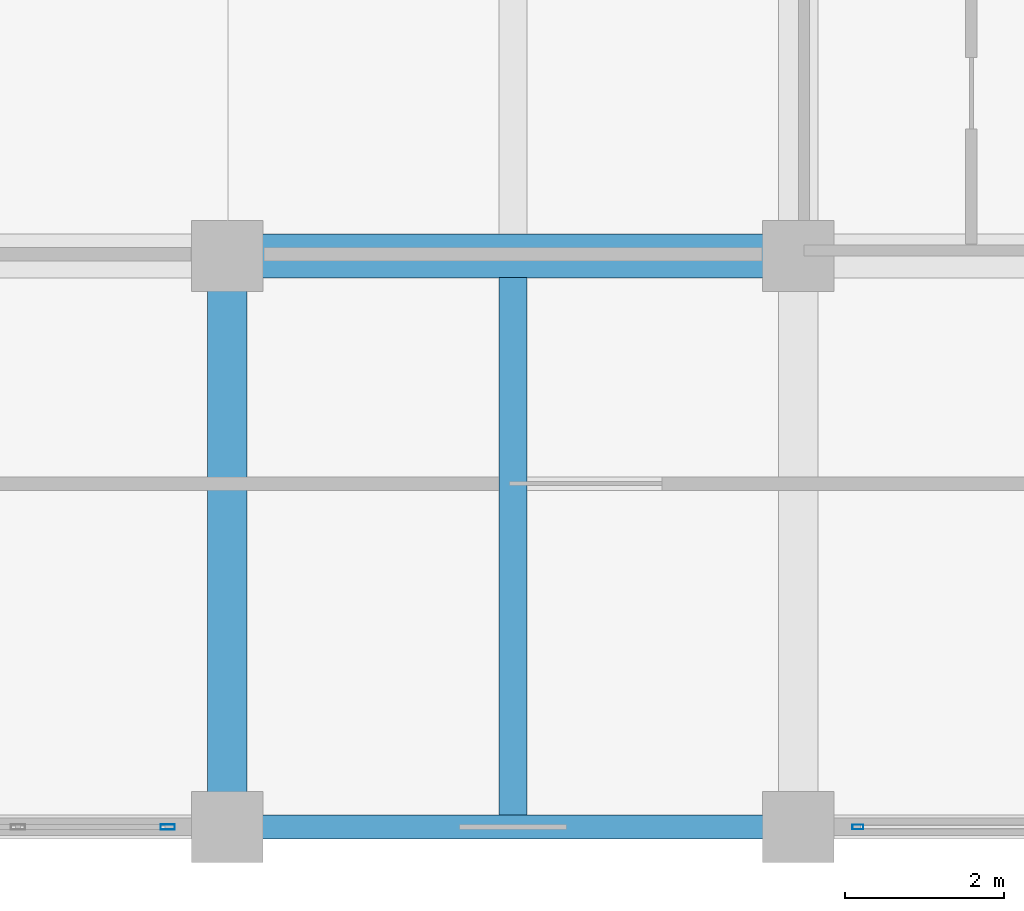
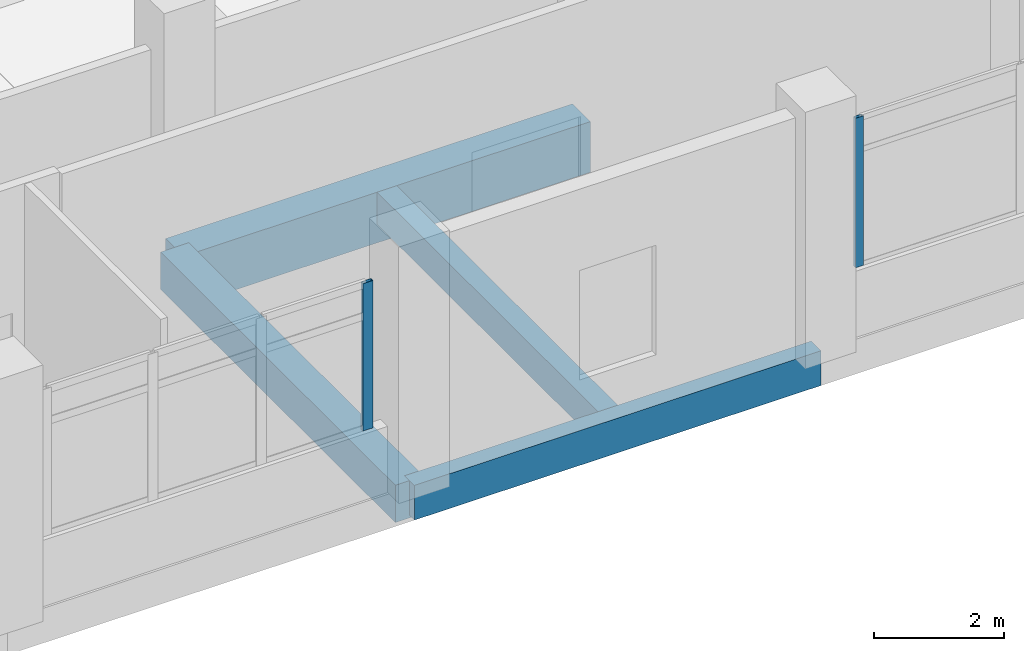
# One storey, part 31 of 181: 4 beams, 2 members, 2 elements without a shape of their own.
"""IFC4 building model written with IfcOpenShell, lengths in metres."""

from ifc_helpers import new_model, si_unit, direction, frame, origin, origin_2d, place, context, subcontext, project, spatial, rectangle, hollow_rectangle, extrude, material, layer, layer_set, material_profile, profile_set, type_object, element, aggregate, save


model = new_model("IFC4")

# Units and contexts
model_context = context("Model", 3, precision=1e-05, world=origin(), true_north=direction((0.0, 1.0)))
body_context = subcontext(model_context, "Body", "Model", "MODEL_VIEW")
ifc_project = project(units=[si_unit("LENGTHUNIT", "METRE"), si_unit("AREAUNIT", "SQUARE_METRE"), si_unit("VOLUMEUNIT", "CUBIC_METRE"), si_unit("PLANEANGLEUNIT", "RADIAN"), si_unit("MASSUNIT", "GRAM", prefix="KILO")], contexts=[model_context])

# Site, building, storey
site_placement = place(None, origin())
site = spatial("IfcSite", under=ifc_project, at=site_placement, CompositionType="ELEMENT")
building_placement = place(site_placement, origin())
building = spatial("IfcBuilding", under=site, at=building_placement, Name="Seraya Terrace Polytechnic", CompositionType="ELEMENT")
storey_placement = place(building_placement, frame((0.0, 0.0, 4.800048828125)))
storey = spatial("IfcBuildingStorey", under=building, at=storey_placement, Name="L01", CompositionType="ELEMENT", Elevation=4.800048828125)

# Beams
ifc_material_1 = material(Name="Concrete C40/50", Category="concrete")
ifc_material_profile_1 = material_profile(ifc_material_1, rectangle(XDim=0.550048828125, YDim=0.949951171875, at=origin_2d()), Name="RC 550x950")
ifc_profile_set_1 = profile_set([ifc_material_profile_1], Name="Concrete C40/50")
beam_type_1 = type_object("IfcBeamType", Name="BM-03", PredefinedType="BEAM", material=ifc_profile_set_1)
beam_1_placement = place(storey_placement, frame((64.800048828125, 7.199951171875, -0.47509765625), z_axis=(1.0, 0.0, 0.0), x_axis=(0.0, 1.0, 0.0)))
element("IfcBeam", 1, at=beam_1_placement, inside=storey, type_object=beam_type_1, Name="Beam BM-03 L01 X (64.8..72.0, 7.2)", PredefinedType="BEAM", context=body_context, shape_type="SweptSolid", body=[
    extrude(rectangle(XDim=0.550048828125, YDim=0.949951171875, at=origin_2d()), origin(), (0.0, 0.0, 1.0), 7.199951171875),
])
ifc_material_profile_2 = material_profile(ifc_material_1, rectangle(XDim=0.5, YDim=0.699951171875, at=origin_2d()), Name="RC 500x700")
ifc_profile_set_2 = profile_set([ifc_material_profile_2], Name="Concrete C40/50")
beam_type_2 = type_object("IfcBeamType", Name="BM-07", PredefinedType="BEAM", material=ifc_profile_set_2)
beam_2_placement = place(storey_placement, frame((64.800048828125, 0.0, -0.35009765625), z_axis=(0.0, 1.0, 0.0), x_axis=(-1.0, 0.0, 0.0)))
element("IfcBeam", 2, at=beam_2_placement, inside=storey, type_object=beam_type_2, Name="Beam BM-07 L01 Y (64.8, 0.0..7.2)", PredefinedType="BEAM", context=body_context, shape_type="SweptSolid", body=[
    extrude(rectangle(XDim=0.5, YDim=0.699951171875, at=origin_2d()), origin(), (0.0, 0.0, 1.0), 7.199951171875),
])

# Curtain wall, member
ifc_material_2 = material(Name="Anodised aluminium EN AW-6063 T6", Category="aluminium")
ifc_layer_1 = layer(ifc_material_2, 0.179931640625, Name="CW-34")
ifc_layer_set_1 = layer_set([ifc_layer_1], Name="Anodised aluminium EN AW-6063 T6")
curtain_wall_type_1 = type_object("IfcCurtainWallType", Name="CW-34", PredefinedType="NOTDEFINED", material=ifc_layer_set_1)
curtain_wall_1_placement = place(storey_placement, origin())
curtain_wall_1 = element("IfcCurtainWall", 3, at=curtain_wall_1_placement, inside=storey, type_object=curtain_wall_type_1, Name="Unitised curtain wall CW-34 (CW-L01-034)", PredefinedType="NOTDEFINED")
ifc_material_profile_3 = material_profile(ifc_material_2, hollow_rectangle(XDim=0.06494140625, YDim=0.179931640625, WallThickness=0.00390625, at=origin_2d()), Name="RHS 180x65x4.0")
ifc_profile_set_3 = profile_set([ifc_material_profile_3], Name="Anodised aluminium EN AW-6063 T6")
member_type_1 = type_object("IfcMemberType", Name="CWM-01", PredefinedType="MULLION", material=ifc_profile_set_3)
member_1_placement = place(storey_placement, frame((64.047607421875, 0.0, 1.239990234375), z_axis=(0.0, 0.0, 1.0), x_axis=(0.0, -1.0, 0.0)))
member_1 = element("IfcMember", 4, at=member_1_placement, type_object=member_type_1, Name="CW-34 mullion 1", PredefinedType="MULLION", context=body_context, shape_type="SweptSolid", body=[
    extrude(hollow_rectangle(XDim=0.06494140625, YDim=0.179931640625, WallThickness=0.00390625, at=origin_2d()), origin(), (0.0, 0.0, 1.0), 2.760009765625),
])
aggregate(curtain_wall_1, [member_1])

ifc_layer_2 = layer(ifc_material_2, 0.179931640625, Name="CW-33")
ifc_layer_set_2 = layer_set([ifc_layer_2], Name="Anodised aluminium EN AW-6063 T6")
curtain_wall_type_2 = type_object("IfcCurtainWallType", Name="CW-33", PredefinedType="NOTDEFINED", material=ifc_layer_set_2)
curtain_wall_2_placement = place(storey_placement, origin())
curtain_wall_2 = element("IfcCurtainWall", 5, at=curtain_wall_2_placement, inside=storey, type_object=curtain_wall_type_2, Name="Unitised curtain wall CW-33 (CW-L01-033)", PredefinedType="NOTDEFINED")
ifc_material_profile_4 = material_profile(ifc_material_2, hollow_rectangle(XDim=0.06005859375, YDim=0.139892578125, WallThickness=0.00341796875, at=origin_2d()), Name="RHS 140x60x3.5")
ifc_profile_set_4 = profile_set([ifc_material_profile_4], Name="Anodised aluminium EN AW-6063 T6")
member_type_2 = type_object("IfcMemberType", Name="CWM-03", PredefinedType="MULLION", material=ifc_profile_set_4)
member_2_placement = place(storey_placement, frame((72.75, 0.0, 1.239990234375), z_axis=(0.0, 0.0, 1.0), x_axis=(0.0, -1.0, 0.0)))
member_2 = element("IfcMember", 6, at=member_2_placement, type_object=member_type_2, Name="CW-33 mullion 3", PredefinedType="MULLION", context=body_context, shape_type="SweptSolid", body=[
    extrude(hollow_rectangle(XDim=0.06005859375, YDim=0.139892578125, WallThickness=0.00341796875, at=origin_2d()), origin(), (0.0, 0.0, 1.0), 2.800048828125),
])
aggregate(curtain_wall_2, [member_2])

# Beams
ifc_material_profile_5 = material_profile(ifc_material_1, rectangle(XDim=0.35009765625, YDim=0.60009765625, at=origin_2d()), Name="RC 350x600")
ifc_profile_set_5 = profile_set([ifc_material_profile_5], Name="Concrete C40/50")
beam_type_3 = type_object("IfcBeamType", Name="JS-02", PredefinedType="JOIST", material=ifc_profile_set_5)
beam_3_placement = place(storey_placement, frame((68.39990234375, 0.14990234375, -0.300048828125), z_axis=(0.0, 1.0, 0.0), x_axis=(-1.0, 0.0, 0.0)))
element("IfcBeam", 7, at=beam_3_placement, inside=storey, type_object=beam_type_3, Name="Secondary joist JS-02 L01", PredefinedType="JOIST", context=body_context, shape_type="SweptSolid", body=[
    extrude(rectangle(XDim=0.35009765625, YDim=0.60009765625, at=origin_2d()), origin(), (0.0, 0.0, 1.0), 6.775146484375),
])
ifc_material_profile_6 = material_profile(ifc_material_1, rectangle(XDim=0.300048828125, YDim=0.64990234375, at=origin_2d()), Name="RC 300x650")
ifc_profile_set_6 = profile_set([ifc_material_profile_6], Name="Concrete C40/50")
beam_type_4 = type_object("IfcBeamType", Name="SP-01", PredefinedType="SPANDREL", material=ifc_profile_set_6)
beam_4_placement = place(storey_placement, frame((64.800048828125, 0.0, -0.324951171875), z_axis=(1.0, 0.0, 0.0), x_axis=(0.0, 1.0, 0.0)))
element("IfcBeam", 8, at=beam_4_placement, inside=storey, type_object=beam_type_4, Name="Beam SP-01 L01 X (64.8..72.0, 0.0)", PredefinedType="SPANDREL", context=body_context, shape_type="SweptSolid", body=[
    extrude(rectangle(XDim=0.300048828125, YDim=0.64990234375, at=origin_2d()), origin(), (0.0, 0.0, 1.0), 7.199951171875),
])

save(model, "model.ifc")
